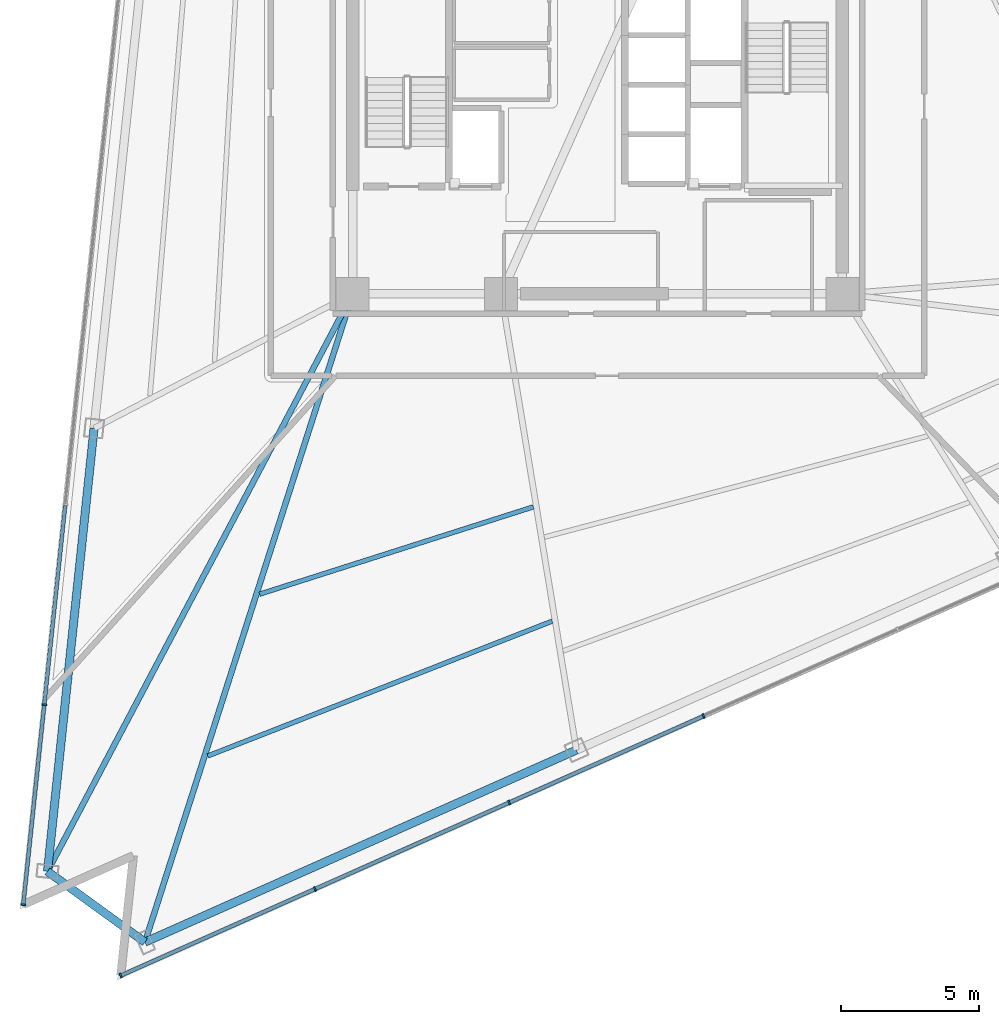
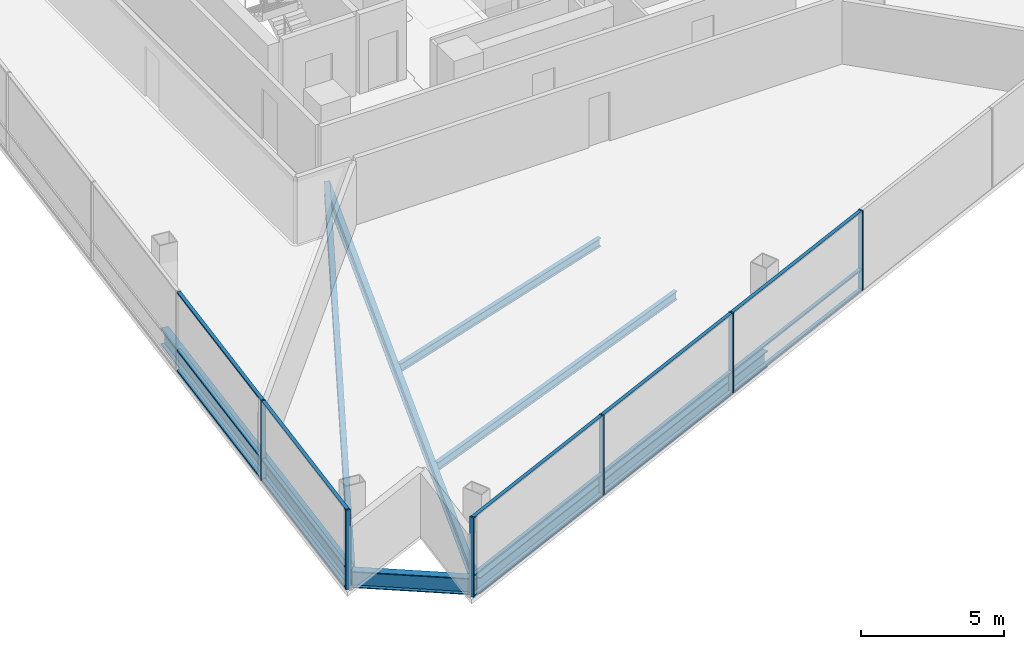
# One storey, part 2 of 16: 21 members, 7 beams, 2 elements without a shape of their own.
"""IFC4 building model written with IfcOpenShell, lengths in metres."""

from ifc_helpers import new_model, si_unit, direction, frame, origin, origin_2d, place, context, subcontext, project, spatial, rectangle, i_section, extrude, material, layer, layer_set, material_profile, profile_set, type_object, element, aggregate, save


model = new_model("IFC4")

# Units and contexts
model_context = context("Model", 3, precision=1e-05, world=origin(), true_north=direction((0.0, 1.0)))
body_context = subcontext(model_context, "Body", "Model", "MODEL_VIEW")
ifc_project = project(units=[si_unit("LENGTHUNIT", "METRE"), si_unit("AREAUNIT", "SQUARE_METRE"), si_unit("VOLUMEUNIT", "CUBIC_METRE"), si_unit("PLANEANGLEUNIT", "RADIAN"), si_unit("MASSUNIT", "GRAM", prefix="KILO")], contexts=[model_context])

# Site, building, storey
site_placement = place(None, origin())
site = spatial("IfcSite", under=ifc_project, at=site_placement, CompositionType="ELEMENT")
building_placement = place(site_placement, origin())
building = spatial("IfcBuilding", under=site, at=building_placement, Name="Tharavind Bronze Gate", CompositionType="ELEMENT")
storey_placement = place(building_placement, frame((0.0, 0.0, 123.25)))
storey = spatial("IfcBuildingStorey", under=building, at=storey_placement, Name="L31", CompositionType="ELEMENT", Elevation=123.25)

# Curtain wall, members
ifc_material_1 = material(Name="Anodised Bronze Aluminium", Category="aluminium")
ifc_layer = layer(ifc_material_1, 0.219970703125)
ifc_layer_set = layer_set([ifc_layer], Name="Anodised Bronze Aluminium")
curtain_wall_type = type_object("IfcCurtainWallType", Name="UNITISED CURTAIN WALL LOWER OFFICE", PredefinedType="USERDEFINED", material=ifc_layer_set)
curtain_wall_1_placement = place(storey_placement, origin())
curtain_wall_1 = element("IfcCurtainWall", 1, at=curtain_wall_1_placement, inside=storey, type_object=curtain_wall_type, Name="L31 unitised curtain wall lower office CW-L31-S1", ObjectType="UNITISED CURTAIN WALL", PredefinedType="USERDEFINED")
member_type_1 = type_object("IfcMemberType", Name="CURTAIN WALL BRONZE MULLION 65X180", PredefinedType="MULLION", material=ifc_material_1)
member_1_placement = place(storey_placement, frame((-20.1142578125, -22.5380859375, 0.0), z_axis=(0.0, 0.0, 1.0), x_axis=(-0.104526727499, -0.994522077803, 0.0)))
member_1 = element("IfcMember", 2, at=member_1_placement, type_object=member_type_1, Name="CW-L31-S1 mullion 7", PredefinedType="MULLION", context=body_context, shape_type="SweptSolid", body=[
    extrude(rectangle(XDim=0.06494140625, YDim=0.179931640625, at=origin_2d()), origin(), (0.0, 0.0, 1.0), 3.409912109375),
])
member_2_placement = place(storey_placement, frame((-20.878662109375, -29.811279296875, 0.0), z_axis=(0.0, 0.0, 1.0), x_axis=(-0.104526727499, -0.994522077803, 0.0)))
member_2 = element("IfcMember", 3, at=member_2_placement, type_object=member_type_1, Name="CW-L31-S1 mullion 8", PredefinedType="MULLION", context=body_context, shape_type="SweptSolid", body=[
    extrude(rectangle(XDim=0.06494140625, YDim=0.179931640625, at=origin_2d()), origin(), (0.0, 0.0, 1.0), 3.409912109375),
])

curtain_wall_2_placement = place(storey_placement, origin())
curtain_wall_2 = element("IfcCurtainWall", 4, at=curtain_wall_2_placement, inside=storey, type_object=curtain_wall_type, Name="L31 unitised curtain wall lower office CW-L31-S2", ObjectType="UNITISED CURTAIN WALL", PredefinedType="USERDEFINED")
member_3_placement = place(storey_placement, frame((-17.335205078125, -32.3857421875, 0.0), z_axis=(0.0, 0.0, 1.0), x_axis=(0.913545457643, 0.406736643076, 0.0)))
member_3 = element("IfcMember", 5, at=member_3_placement, type_object=member_type_1, Name="CW-L31-S2 mullion 1", PredefinedType="MULLION", context=body_context, shape_type="SweptSolid", body=[
    extrude(rectangle(XDim=0.06494140625, YDim=0.179931640625, at=origin_2d()), origin(), (0.0, 0.0, 1.0), 3.409912109375),
])
member_4_placement = place(storey_placement, frame((-10.273193359375, -29.241455078125, 0.0), z_axis=(0.0, 0.0, 1.0), x_axis=(0.913545457643, 0.406736643076, 0.0)))
member_4 = element("IfcMember", 6, at=member_4_placement, type_object=member_type_1, Name="CW-L31-S2 mullion 2", PredefinedType="MULLION", context=body_context, shape_type="SweptSolid", body=[
    extrude(rectangle(XDim=0.06494140625, YDim=0.179931640625, at=origin_2d()), origin(), (0.0, 0.0, 1.0), 3.409912109375),
])
member_5_placement = place(storey_placement, frame((-3.2109375, -26.097412109375, 0.0), z_axis=(0.0, 0.0, 1.0), x_axis=(0.913545457643, 0.406736643076, 0.0)))
member_5 = element("IfcMember", 7, at=member_5_placement, type_object=member_type_1, Name="CW-L31-S2 mullion 3", PredefinedType="MULLION", context=body_context, shape_type="SweptSolid", body=[
    extrude(rectangle(XDim=0.06494140625, YDim=0.179931640625, at=origin_2d()), origin(), (0.0, 0.0, 1.0), 3.409912109375),
])
member_6_placement = place(storey_placement, frame((3.851318359375, -22.952880859375, 0.0), z_axis=(0.0, 0.0, 1.0), x_axis=(0.913545457643, 0.406736643076, 0.0)))
member_6 = element("IfcMember", 8, at=member_6_placement, type_object=member_type_1, Name="CW-L31-S2 mullion 4", PredefinedType="MULLION", context=body_context, shape_type="SweptSolid", body=[
    extrude(rectangle(XDim=0.06494140625, YDim=0.179931640625, at=origin_2d()), origin(), (0.0, 0.0, 1.0), 3.409912109375),
])

# Member
member_type_2 = type_object("IfcMemberType", Name="CURTAIN WALL BRONZE TRANSOM 65X140", PredefinedType="USERDEFINED", material=ifc_material_1)
member_7_placement = place(storey_placement, frame((-19.73193359375, -18.9013671875, 0.0), z_axis=(0.0, 0.0, 1.0), x_axis=(-0.104526727499, -0.994522077803, 0.0)))
member_7 = element("IfcMember", 9, at=member_7_placement, type_object=member_type_2, Name="CW-L31-S1 transom TB6", ObjectType="TRANSOM", PredefinedType="USERDEFINED", context=body_context, shape_type="SweptSolid", body=[
    extrude(rectangle(XDim=7.26025390625, YDim=0.139892578125, at=origin_2d()), origin(), (0.0, 0.0, 1.0), 0.06494140625),
])

member_8_placement = place(storey_placement, frame((-19.73193359375, -18.9013671875, 0.867431640625), z_axis=(0.0, 0.0, 1.0), x_axis=(-0.104526727499, -0.994522077803, 0.0)))
member_8 = element("IfcMember", 10, at=member_8_placement, type_object=member_type_2, Name="CW-L31-S1 transom TS6", ObjectType="TRANSOM", PredefinedType="USERDEFINED", context=body_context, shape_type="SweptSolid", body=[
    extrude(rectangle(XDim=7.26025390625, YDim=0.139892578125, at=origin_2d()), origin(), (0.0, 0.0, 1.0), 0.06494140625),
])

member_9_placement = place(storey_placement, frame((-19.73193359375, -18.9013671875, 3.344970703125), z_axis=(0.0, 0.0, 1.0), x_axis=(-0.104526727499, -0.994522077803, 0.0)))
member_9 = element("IfcMember", 11, at=member_9_placement, type_object=member_type_2, Name="CW-L31-S1 transom TT6", ObjectType="TRANSOM", PredefinedType="USERDEFINED", context=body_context, shape_type="SweptSolid", body=[
    extrude(rectangle(XDim=7.26025390625, YDim=0.139892578125, at=origin_2d()), origin(), (0.0, 0.0, 1.0), 0.06494140625),
])

member_10_placement = place(storey_placement, frame((-20.49658203125, -26.1748046875, 0.0), z_axis=(0.0, 0.0, 1.0), x_axis=(-0.104526727499, -0.994522077803, 0.0)))
member_10 = element("IfcMember", 12, at=member_10_placement, type_object=member_type_2, Name="CW-L31-S1 transom TB7", ObjectType="TRANSOM", PredefinedType="USERDEFINED", context=body_context, shape_type="SweptSolid", body=[
    extrude(rectangle(XDim=7.26025390625, YDim=0.139892578125, at=origin_2d()), origin(), (0.0, 0.0, 1.0), 0.06494140625),
])

member_11_placement = place(storey_placement, frame((-20.49658203125, -26.1748046875, 0.867431640625), z_axis=(0.0, 0.0, 1.0), x_axis=(-0.104526727499, -0.994522077803, 0.0)))
member_11 = element("IfcMember", 13, at=member_11_placement, type_object=member_type_2, Name="CW-L31-S1 transom TS7", ObjectType="TRANSOM", PredefinedType="USERDEFINED", context=body_context, shape_type="SweptSolid", body=[
    extrude(rectangle(XDim=7.26025390625, YDim=0.139892578125, at=origin_2d()), origin(), (0.0, 0.0, 1.0), 0.06494140625),
])

member_12_placement = place(storey_placement, frame((-20.49658203125, -26.1748046875, 3.344970703125), z_axis=(0.0, 0.0, 1.0), x_axis=(-0.104526727499, -0.994522077803, 0.0)))
member_12 = element("IfcMember", 14, at=member_12_placement, type_object=member_type_2, Name="CW-L31-S1 transom TT7", ObjectType="TRANSOM", PredefinedType="USERDEFINED", context=body_context, shape_type="SweptSolid", body=[
    extrude(rectangle(XDim=7.26025390625, YDim=0.139892578125, at=origin_2d()), origin(), (0.0, 0.0, 1.0), 0.06494140625),
])

aggregate(curtain_wall_1, [member_1, member_2, member_7, member_8, member_9, member_10, member_11, member_12])

member_13_placement = place(storey_placement, frame((-13.80419921875, -30.813720703125, 0.0), z_axis=(0.0, 0.0, 1.0), x_axis=(0.913545457643, 0.406736643076, 0.0)))
member_13 = element("IfcMember", 15, at=member_13_placement, type_object=member_type_2, Name="CW-L31-S2 transom TB1", ObjectType="TRANSOM", PredefinedType="USERDEFINED", context=body_context, shape_type="SweptSolid", body=[
    extrude(rectangle(XDim=7.677490234375, YDim=0.139892578125, at=origin_2d()), origin(), (0.0, 0.0, 1.0), 0.06494140625),
])

member_14_placement = place(storey_placement, frame((-13.80419921875, -30.813720703125, 0.867431640625), z_axis=(0.0, 0.0, 1.0), x_axis=(0.913545457643, 0.406736643076, 0.0)))
member_14 = element("IfcMember", 16, at=member_14_placement, type_object=member_type_2, Name="CW-L31-S2 transom TS1", ObjectType="TRANSOM", PredefinedType="USERDEFINED", context=body_context, shape_type="SweptSolid", body=[
    extrude(rectangle(XDim=7.677490234375, YDim=0.139892578125, at=origin_2d()), origin(), (0.0, 0.0, 1.0), 0.06494140625),
])

member_15_placement = place(storey_placement, frame((-13.80419921875, -30.813720703125, 3.344970703125), z_axis=(0.0, 0.0, 1.0), x_axis=(0.913545457643, 0.406736643076, 0.0)))
member_15 = element("IfcMember", 17, at=member_15_placement, type_object=member_type_2, Name="CW-L31-S2 transom TT1", ObjectType="TRANSOM", PredefinedType="USERDEFINED", context=body_context, shape_type="SweptSolid", body=[
    extrude(rectangle(XDim=7.677490234375, YDim=0.139892578125, at=origin_2d()), origin(), (0.0, 0.0, 1.0), 0.06494140625),
])

member_16_placement = place(storey_placement, frame((-6.741943359375, -27.66943359375, 0.0), z_axis=(0.0, 0.0, 1.0), x_axis=(0.913545457643, 0.406736643076, 0.0)))
member_16 = element("IfcMember", 18, at=member_16_placement, type_object=member_type_2, Name="CW-L31-S2 transom TB2", ObjectType="TRANSOM", PredefinedType="USERDEFINED", context=body_context, shape_type="SweptSolid", body=[
    extrude(rectangle(XDim=7.677490234375, YDim=0.139892578125, at=origin_2d()), origin(), (0.0, 0.0, 1.0), 0.06494140625),
])

member_17_placement = place(storey_placement, frame((-6.741943359375, -27.66943359375, 0.867431640625), z_axis=(0.0, 0.0, 1.0), x_axis=(0.913545457643, 0.406736643076, 0.0)))
member_17 = element("IfcMember", 19, at=member_17_placement, type_object=member_type_2, Name="CW-L31-S2 transom TS2", ObjectType="TRANSOM", PredefinedType="USERDEFINED", context=body_context, shape_type="SweptSolid", body=[
    extrude(rectangle(XDim=7.677490234375, YDim=0.139892578125, at=origin_2d()), origin(), (0.0, 0.0, 1.0), 0.06494140625),
])

member_18_placement = place(storey_placement, frame((-6.741943359375, -27.66943359375, 3.344970703125), z_axis=(0.0, 0.0, 1.0), x_axis=(0.913545457643, 0.406736643076, 0.0)))
member_18 = element("IfcMember", 20, at=member_18_placement, type_object=member_type_2, Name="CW-L31-S2 transom TT2", ObjectType="TRANSOM", PredefinedType="USERDEFINED", context=body_context, shape_type="SweptSolid", body=[
    extrude(rectangle(XDim=7.677490234375, YDim=0.139892578125, at=origin_2d()), origin(), (0.0, 0.0, 1.0), 0.06494140625),
])

member_19_placement = place(storey_placement, frame((0.3203125, -24.525146484375, 0.0), z_axis=(0.0, 0.0, 1.0), x_axis=(0.913545457643, 0.406736643076, 0.0)))
member_19 = element("IfcMember", 21, at=member_19_placement, type_object=member_type_2, Name="CW-L31-S2 transom TB3", ObjectType="TRANSOM", PredefinedType="USERDEFINED", context=body_context, shape_type="SweptSolid", body=[
    extrude(rectangle(XDim=7.677490234375, YDim=0.139892578125, at=origin_2d()), origin(), (0.0, 0.0, 1.0), 0.06494140625),
])

member_20_placement = place(storey_placement, frame((0.3203125, -24.525146484375, 0.867431640625), z_axis=(0.0, 0.0, 1.0), x_axis=(0.913545457643, 0.406736643076, 0.0)))
member_20 = element("IfcMember", 22, at=member_20_placement, type_object=member_type_2, Name="CW-L31-S2 transom TS3", ObjectType="TRANSOM", PredefinedType="USERDEFINED", context=body_context, shape_type="SweptSolid", body=[
    extrude(rectangle(XDim=7.677490234375, YDim=0.139892578125, at=origin_2d()), origin(), (0.0, 0.0, 1.0), 0.06494140625),
])

member_21_placement = place(storey_placement, frame((0.3203125, -24.525146484375, 3.344970703125), z_axis=(0.0, 0.0, 1.0), x_axis=(0.913545457643, 0.406736643076, 0.0)))
member_21 = element("IfcMember", 23, at=member_21_placement, type_object=member_type_2, Name="CW-L31-S2 transom TT3", ObjectType="TRANSOM", PredefinedType="USERDEFINED", context=body_context, shape_type="SweptSolid", body=[
    extrude(rectangle(XDim=7.677490234375, YDim=0.139892578125, at=origin_2d()), origin(), (0.0, 0.0, 1.0), 0.06494140625),
])

aggregate(curtain_wall_2, [member_3, member_4, member_5, member_6, member_13, member_14, member_15, member_16, member_17, member_18, member_19, member_20, member_21])

# Beams
ifc_material_2 = material(Name="Steel S355", Category="steel")
ifc_material_profile_1 = material_profile(ifc_material_2, i_section(OverallWidth=0.2099609375, OverallDepth=0.550048828125, WebThickness=0.010986328125, FlangeThickness=0.01708984375, at=origin_2d()), Name="IPE550")
ifc_profile_set_1 = profile_set([ifc_material_profile_1], Name="Steel S355")
beam_type_1 = type_object("IfcBeamType", Name="PRIMARY GIRDER IPE550", PredefinedType="USERDEFINED", material=ifc_profile_set_1)
beam_1_placement = place(storey_placement, frame((-19.9970703125, -28.597900390625, -0.465087890625), z_axis=(0.467252343424, 0.884124000107, 0.0), x_axis=(-0.884124000107, 0.467252343424, 0.0)))
element("IfcBeam", 24, at=beam_1_placement, inside=storey, type_object=beam_type_1, Name="L31 primary girder ipe550 BM-L31-RAD04", ObjectType="GIRDER", PredefinedType="USERDEFINED", context=body_context, shape_type="SweptSolid", body=[
    extrude(i_section(OverallWidth=0.2099609375, OverallDepth=0.550048828125, WebThickness=0.010986328125, FlangeThickness=0.01708984375, at=origin_2d()), origin(), (0.0, 0.0, 1.0), 23.749755859375),
])
beam_2_placement = place(storey_placement, frame((-16.45361328125, -31.17236328125, -0.465087890625), z_axis=(0.305163640021, 0.952299927969, 0.0), x_axis=(-0.952299927969, 0.305163640021, 0.0)))
element("IfcBeam", 25, at=beam_2_placement, inside=storey, type_object=beam_type_1, Name="L31 primary girder ipe550 BM-L31-RAD05", ObjectType="GIRDER", PredefinedType="USERDEFINED", context=body_context, shape_type="SweptSolid", body=[
    extrude(i_section(OverallWidth=0.2099609375, OverallDepth=0.550048828125, WebThickness=0.010986328125, FlangeThickness=0.01708984375, at=origin_2d()), origin(), (0.0, 0.0, 1.0), 24.7529296875),
])
ifc_material_profile_2 = material_profile(ifc_material_2, i_section(OverallWidth=0.300048828125, OverallDepth=0.699951171875, WebThickness=0.01708984375, FlangeThickness=0.031982421875, at=origin_2d()), Name="HE700B")
ifc_profile_set_2 = profile_set([ifc_material_profile_2], Name="Steel S355")
beam_type_2 = type_object("IfcBeamType", Name="RING GIRDER HE700B", PredefinedType="USERDEFINED", material=ifc_profile_set_2)
beam_3_placement = place(storey_placement, frame((-18.303955078125, -12.488037109375, -0.5400390625), z_axis=(-0.104522380175, -0.994522534708, 0.0), x_axis=(0.994522534708, -0.104522380175, 0.0)))
element("IfcBeam", 26, at=beam_3_placement, inside=storey, type_object=beam_type_2, Name="L31 ring girder he700b BM-L31-PRG03", ObjectType="GIRDER", PredefinedType="USERDEFINED", context=body_context, shape_type="SweptSolid", body=[
    extrude(i_section(OverallWidth=0.300048828125, OverallDepth=0.699951171875, WebThickness=0.01708984375, FlangeThickness=0.031982421875, at=origin_2d()), origin(), (0.0, 0.0, 1.0), 16.198486328125),
])
beam_4_placement = place(storey_placement, frame((-19.9970703125, -28.597900390625, -0.5400390625), z_axis=(0.809018008275, -0.587783856777, 0.0), x_axis=(0.587783856777, 0.809018008275, 0.0)))
element("IfcBeam", 27, at=beam_4_placement, inside=storey, type_object=beam_type_2, Name="L31 ring girder he700b BM-L31-PRG04", ObjectType="GIRDER", PredefinedType="USERDEFINED", context=body_context, shape_type="SweptSolid", body=[
    extrude(i_section(OverallWidth=0.300048828125, OverallDepth=0.699951171875, WebThickness=0.01708984375, FlangeThickness=0.031982421875, at=origin_2d()), origin(), (0.0, 0.0, 1.0), 4.3798828125),
])
beam_5_placement = place(storey_placement, frame((-16.45361328125, -31.17236328125, -0.5400390625), z_axis=(0.913546351362, 0.406734635744, 0.0), x_axis=(-0.406734635744, 0.913546351362, 0.0)))
element("IfcBeam", 28, at=beam_5_placement, inside=storey, type_object=beam_type_2, Name="L31 ring girder he700b BM-L31-PRG05", ObjectType="GIRDER", PredefinedType="USERDEFINED", context=body_context, shape_type="SweptSolid", body=[
    extrude(i_section(OverallWidth=0.300048828125, OverallDepth=0.699951171875, WebThickness=0.01708984375, FlangeThickness=0.031982421875, at=origin_2d()), origin(), (0.0, 0.0, 1.0), 17.171875),
])
ifc_material_profile_3 = material_profile(ifc_material_2, i_section(OverallWidth=0.169921875, OverallDepth=0.360107421875, WebThickness=0.008056640625, FlangeThickness=0.0126953125, at=origin_2d()), Name="IPE360")
ifc_profile_set_3 = profile_set([ifc_material_profile_3], Name="Steel S355")
beam_type_3 = type_object("IfcBeamType", Name="SECONDARY FLOOR JOIST IPE360", PredefinedType="JOIST", material=ifc_profile_set_3)
beam_6_placement = place(storey_placement, frame((-12.285888671875, -18.520751953125, -0.3701171875), z_axis=(0.952718678144, 0.303853781144, 0.0), x_axis=(-0.303853781144, 0.952718678144, 0.0)))
element("IfcBeam", 29, at=beam_6_placement, inside=storey, type_object=beam_type_3, Name="L31 secondary floor joist ipe360 BM-L31-JSTA05", PredefinedType="JOIST", context=body_context, shape_type="SweptSolid", body=[
    extrude(i_section(OverallWidth=0.169921875, OverallDepth=0.360107421875, WebThickness=0.008056640625, FlangeThickness=0.0126953125, at=origin_2d()), origin(), (0.0, 0.0, 1.0), 10.446044921875),
])
beam_7_placement = place(storey_placement, frame((-14.1708984375, -24.4033203125, -0.3701171875), z_axis=(0.931178744784, 0.364562951028, 0.0), x_axis=(-0.364562951028, 0.931178744784, 0.0)))
element("IfcBeam", 30, at=beam_7_placement, inside=storey, type_object=beam_type_3, Name="L31 secondary floor joist ipe360 BM-L31-JSTB05", PredefinedType="JOIST", context=body_context, shape_type="SweptSolid", body=[
    extrude(i_section(OverallWidth=0.169921875, OverallDepth=0.360107421875, WebThickness=0.008056640625, FlangeThickness=0.0126953125, at=origin_2d()), origin(), (0.0, 0.0, 1.0), 13.447265625),
])

save(model, "model.ifc")
